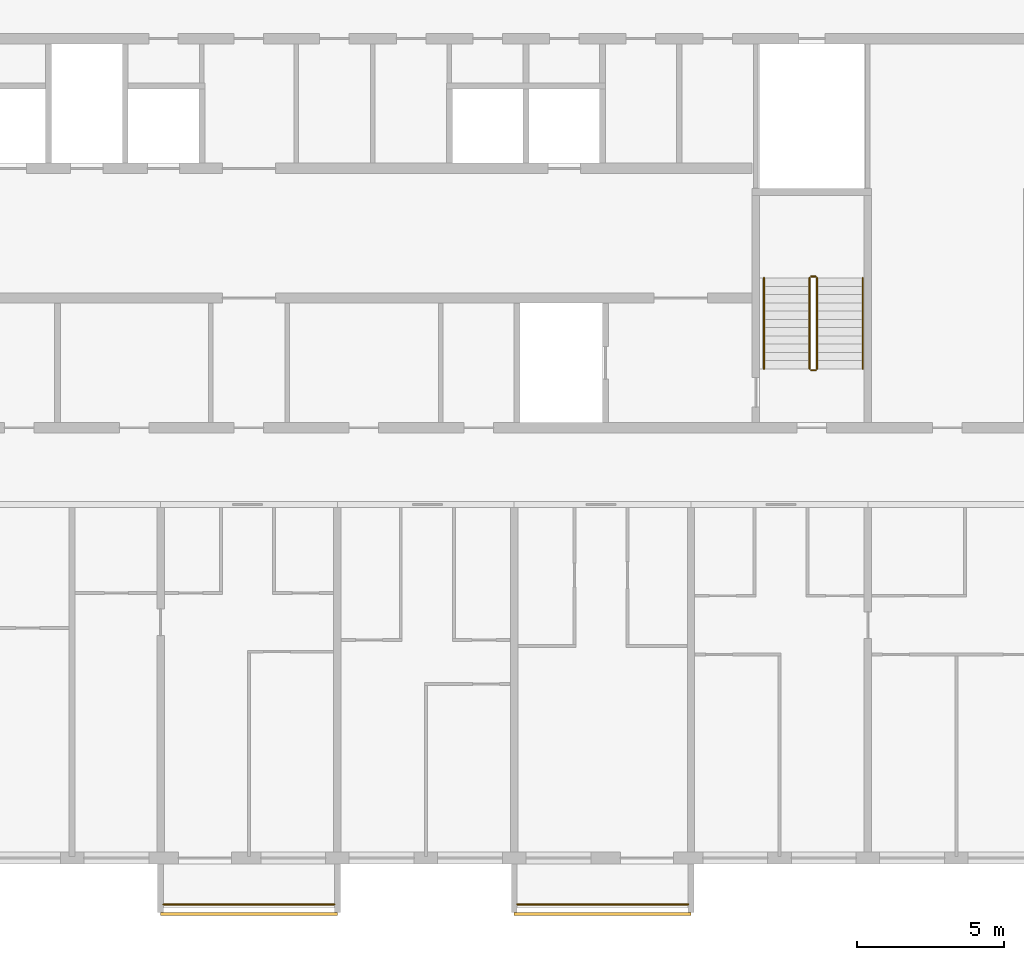
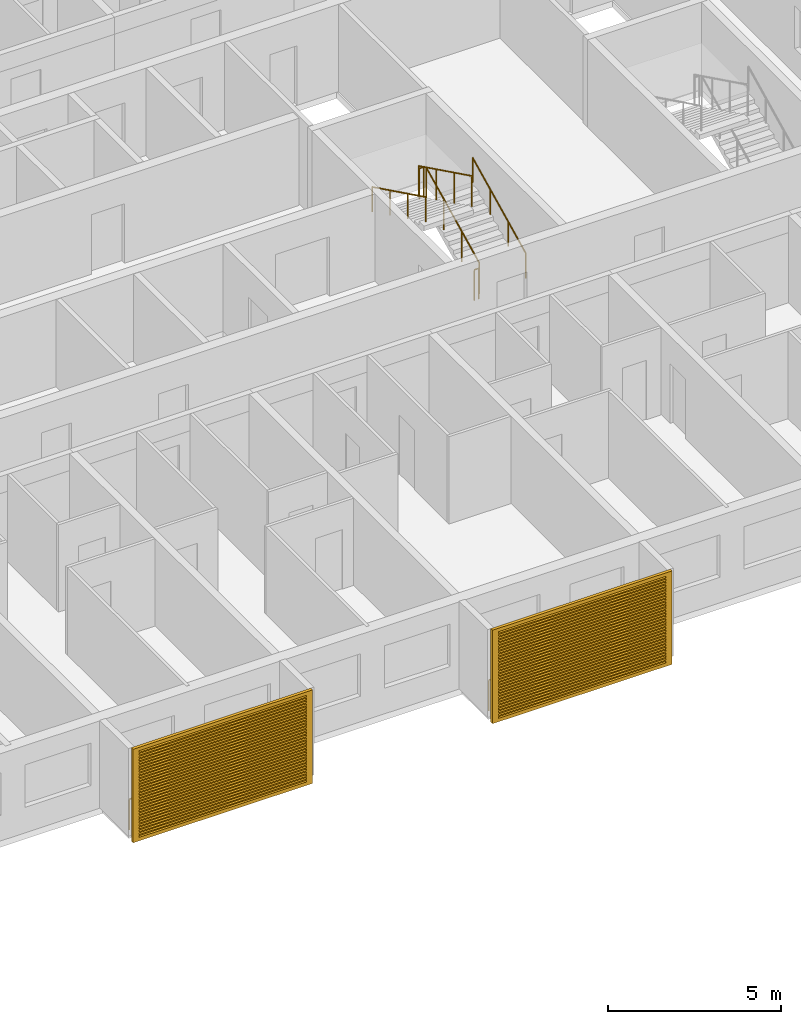
# One storey, part 14 of 29: 8 railings, 2 shading devices.
"""IFC4 building model written with IfcOpenShell, lengths in metres."""

from ifc_helpers import new_model, si_unit, direction, frame, origin, origin_2d, place, context, subcontext, project, spatial, polyline, circle, outline, extrude, source, transform, mapped, material, material_profile, profile_set, type_object, element, save


model = new_model("IFC4")

# Units and contexts
model_context = context("Model", 3, precision=1e-05, world=origin(), true_north=direction((0.0, 1.0)))
body_context = subcontext(model_context, "Body", "Model", "MODEL_VIEW")
ifc_project = project(units=[si_unit("LENGTHUNIT", "METRE"), si_unit("AREAUNIT", "SQUARE_METRE"), si_unit("VOLUMEUNIT", "CUBIC_METRE"), si_unit("PLANEANGLEUNIT", "RADIAN"), si_unit("MASSUNIT", "GRAM", prefix="KILO")], contexts=[model_context])

# Site, building, storey
site_placement = place(None, origin())
site = spatial("IfcSite", under=ifc_project, at=site_placement, CompositionType="ELEMENT")
building_placement = place(site_placement, origin())
building = spatial("IfcBuilding", under=site, at=building_placement, Name="Poui Terraces", CompositionType="ELEMENT")
storey_placement = place(building_placement, frame((0.0, 0.0, 237.89990234375)))
storey = spatial("IfcBuildingStorey", under=building, at=storey_placement, Name="L66", CompositionType="ELEMENT", Elevation=237.89990234375)

# Railings
ifc_material_1 = material(Name="Painted steel fretwork", Category="steel")
railing_type_1 = type_object("IfcRailingType", Name="BALCONY GUARD 1100", PredefinedType="GUARDRAIL", material=ifc_material_1)
for number, where, name in (
    (1, (48.10009765625, -1.570068359375, 0.0), "BALCONY GUARD"),
    (2, (60.10009765625, -1.570068359375, 0.0), "BALCONY GUARD"),
):
    element("IfcRailing", number, at=place(storey_placement, frame(where)), inside=storey, type_object=railing_type_1, Name=name, PredefinedType="GUARDRAIL", context=body_context, shape_type="SweptSolid", body=[
        extrude(circle(Radius=0.02392578125, at=origin_2d()), frame((0.0, 0.0, 1.076171875), z_axis=(1.0, 0.0, 0.0), x_axis=(0.0, 1.0, 0.0)), (0.0, 0.0, 1.0), 5.7998046875),
        extrude(circle(Radius=0.02099609375, at=origin_2d()), origin(), (0.0, 0.0, 1.0), 1.052001953125),
        extrude(circle(Radius=0.02099609375, at=origin_2d()), frame((0.966552734375, 0.0, 0.0)), (0.0, 0.0, 1.0), 1.052001953125),
        extrude(circle(Radius=0.02099609375, at=origin_2d()), frame((1.933349609375, 0.0, 0.0)), (0.0, 0.0, 1.0), 1.052001953125),
        extrude(circle(Radius=0.02099609375, at=origin_2d()), frame((2.89990234375, 0.0, 0.0)), (0.0, 0.0, 1.0), 1.052001953125),
        extrude(circle(Radius=0.02099609375, at=origin_2d()), frame((3.866455078125, 0.0, 0.0)), (0.0, 0.0, 1.0), 1.052001953125),
        extrude(circle(Radius=0.02099609375, at=origin_2d()), frame((4.833251953125, 0.0, 0.0)), (0.0, 0.0, 1.0), 1.052001953125),
        extrude(circle(Radius=0.02099609375, at=origin_2d()), frame((5.7998046875, 0.0, 0.0)), (0.0, 0.0, 1.0), 1.052001953125),
    ])
ifc_material_2 = material(Name="Galvanised steel balustrade", Category="steel")
railing_type_2 = type_object("IfcRailingType", Name="STAIR GUARD 1100", PredefinedType="GUARDRAIL", material=ifc_material_2)
railing_1_placement = place(storey_placement, frame((70.27490234375, 16.60009765625, 0.1376953125)))
element("IfcRailing", 3, at=railing_1_placement, inside=storey, type_object=railing_type_2, Name="L66 ST-CE stair guard 1", PredefinedType="GUARDRAIL", context=body_context, shape_type="SweptSolid", body=[
    extrude(circle(Radius=0.02392578125, at=origin_2d()), frame((0.0, 0.0, 1.076171875), z_axis=(0.0, 0.897606190399, 0.440798283751), x_axis=(-1.0, 0.0, 0.0)), (0.0, 0.0, 1.0), 3.43115234375),
    extrude(circle(Radius=0.02099609375, at=origin_2d()), origin(), (0.0, 0.0, 1.0), 1.052001953125),
    extrude(circle(Radius=0.02099609375, at=origin_2d()), frame((0.0, 1.026611328125, 0.504150390625)), (0.0, 0.0, 1.0), 1.052001953125),
    extrude(circle(Radius=0.02099609375, at=origin_2d()), frame((0.0, 2.05322265625, 1.00830078125)), (0.0, 0.0, 1.0), 1.052001953125),
    extrude(circle(Radius=0.02099609375, at=origin_2d()), frame((0.0, 3.079833984375, 1.512451171875)), (0.0, 0.0, 1.0), 1.052001953125),
])
railing_2_placement = place(storey_placement, frame((70.22509765625, 19.72998046875, 1.650146484375)))
element("IfcRailing", 4, at=railing_2_placement, inside=storey, type_object=railing_type_2, Name="L66 ST-CE stair guard 2", PredefinedType="GUARDRAIL", context=body_context, shape_type="SweptSolid", body=[
    extrude(circle(Radius=0.02392578125, at=origin_2d()), frame((0.0, 0.0, 1.076171875), z_axis=(-1.0, 0.0, 0.0), x_axis=(0.0, -1.0, 0.0)), (0.0, 0.0, 1.0), 0.150146484375),
    extrude(circle(Radius=0.02099609375, at=origin_2d()), origin(), (0.0, 0.0, 1.0), 1.052001953125),
    extrude(circle(Radius=0.02099609375, at=origin_2d()), frame((-0.150146484375, 0.0, 0.0)), (0.0, 0.0, 1.0), 1.052001953125),
])
railing_3_placement = place(storey_placement, frame((70.02490234375, 19.679931640625, 1.78759765625)))
element("IfcRailing", 5, at=railing_3_placement, inside=storey, type_object=railing_type_2, Name="L66 ST-CE stair guard 3", PredefinedType="GUARDRAIL", context=body_context, shape_type="SweptSolid", body=[
    extrude(circle(Radius=0.02392578125, at=origin_2d()), frame((0.0, 0.0, 1.076171875), z_axis=(0.0, -0.897606190399, 0.440798283751), x_axis=(1.0, 0.0, 0.0)), (0.0, 0.0, 1.0), 3.43115234375),
    extrude(circle(Radius=0.02099609375, at=origin_2d()), origin(), (0.0, 0.0, 1.0), 1.052001953125),
    extrude(circle(Radius=0.02099609375, at=origin_2d()), frame((0.0, -1.026611328125, 0.504150390625)), (0.0, 0.0, 1.0), 1.052001953125),
    extrude(circle(Radius=0.02099609375, at=origin_2d()), frame((0.0, -2.05322265625, 1.00830078125)), (0.0, 0.0, 1.0), 1.052001953125),
    extrude(circle(Radius=0.02099609375, at=origin_2d()), frame((0.0, -3.079833984375, 1.512451171875)), (0.0, 0.0, 1.0), 1.052001953125),
])
railing_4_placement = place(storey_placement, frame((70.22509765625, 16.550048828125, 0.0)))
element("IfcRailing", 6, at=railing_4_placement, inside=storey, type_object=railing_type_2, Name="L66 ST-CE stair guard 4", PredefinedType="GUARDRAIL", context=body_context, shape_type="SweptSolid", body=[
    extrude(circle(Radius=0.02392578125, at=origin_2d()), frame((0.0, 0.0, 1.076171875), z_axis=(-1.0, 0.0, 0.0), x_axis=(0.0, -1.0, 0.0)), (0.0, 0.0, 1.0), 0.150146484375),
    extrude(circle(Radius=0.02099609375, at=origin_2d()), origin(), (0.0, 0.0, 1.0), 1.052001953125),
    extrude(circle(Radius=0.02099609375, at=origin_2d()), frame((-0.150146484375, 0.0, 0.0)), (0.0, 0.0, 1.0), 1.052001953125),
])
ifc_material_3 = material(Name="Stainless steel handrail", Category="steel")
railing_type_3 = type_object("IfcRailingType", Name="STAIR HANDRAIL 900", PredefinedType="HANDRAIL", material=ifc_material_3)
railing_5_placement = place(storey_placement, frame((71.824951171875, 16.60009765625, 0.1376953125)))
element("IfcRailing", 7, at=railing_5_placement, inside=storey, type_object=railing_type_3, Name="L66 ST-CE stair handrail 1", PredefinedType="HANDRAIL", context=body_context, shape_type="SweptSolid", body=[
    extrude(circle(Radius=0.02392578125, at=origin_2d()), frame((0.0, 0.0, 0.8759765625), z_axis=(0.0, 0.897606190399, 0.440798283751), x_axis=(-1.0, 0.0, 0.0)), (0.0, 0.0, 1.0), 3.43115234375),
    extrude(circle(Radius=0.02099609375, at=origin_2d()), origin(), (0.0, 0.0, 1.0), 0.851806640625),
    extrude(circle(Radius=0.02099609375, at=origin_2d()), frame((0.0, 1.026611328125, 0.504150390625)), (0.0, 0.0, 1.0), 0.851806640625),
    extrude(circle(Radius=0.02099609375, at=origin_2d()), frame((0.0, 2.05322265625, 1.00830078125)), (0.0, 0.0, 1.0), 0.851806640625),
    extrude(circle(Radius=0.02099609375, at=origin_2d()), frame((0.0, 3.079833984375, 1.512451171875)), (0.0, 0.0, 1.0), 0.851806640625),
])
railing_6_placement = place(storey_placement, frame((68.47509765625, 19.679931640625, 1.78759765625)))
element("IfcRailing", 8, at=railing_6_placement, inside=storey, type_object=railing_type_3, Name="L66 ST-CE stair handrail 2", PredefinedType="HANDRAIL", context=body_context, shape_type="SweptSolid", body=[
    extrude(circle(Radius=0.02392578125, at=origin_2d()), frame((0.0, 0.0, 0.8759765625), z_axis=(0.0, -0.897606190399, 0.440798283751), x_axis=(1.0, 0.0, 0.0)), (0.0, 0.0, 1.0), 3.43115234375),
    extrude(circle(Radius=0.02099609375, at=origin_2d()), origin(), (0.0, 0.0, 1.0), 0.851806640625),
    extrude(circle(Radius=0.02099609375, at=origin_2d()), frame((0.0, -1.026611328125, 0.504150390625)), (0.0, 0.0, 1.0), 0.851806640625),
    extrude(circle(Radius=0.02099609375, at=origin_2d()), frame((0.0, -2.05322265625, 1.00830078125)), (0.0, 0.0, 1.0), 0.851806640625),
    extrude(circle(Radius=0.02099609375, at=origin_2d()), frame((0.0, -3.079833984375, 1.512451171875)), (0.0, 0.0, 1.0), 0.851806640625),
])

# Shading devices
ifc_material_4 = material(Name="Aluminium louvre", Category="aluminium")
ifc_material_profile = material_profile(ifc_material_4, outline(polyline([(-3.0, -1.64990234375), (3.0, -1.64990234375), (3.0, 1.64990234375), (-3.0, 1.64990234375), (-3.0, -1.64990234375)]), holes=[polyline([(-2.800048828125, -1.530029296875), (2.800048828125, -1.530029296875), (2.800048828125, -1.469970703125), (-2.800048828125, -1.469970703125), (-2.800048828125, -1.530029296875)]), polyline([(-2.800048828125, -1.429931640625), (2.800048828125, -1.429931640625), (2.800048828125, -1.3701171875), (-2.800048828125, -1.3701171875), (-2.800048828125, -1.429931640625)]), polyline([(-2.800048828125, -1.330078125), (2.800048828125, -1.330078125), (2.800048828125, -1.27001953125), (-2.800048828125, -1.27001953125), (-2.800048828125, -1.330078125)]), polyline([(-2.800048828125, -1.22998046875), (2.800048828125, -1.22998046875), (2.800048828125, -1.169921875), (-2.800048828125, -1.169921875), (-2.800048828125, -1.22998046875)]), polyline([(-2.800048828125, -1.1298828125), (2.800048828125, -1.1298828125), (2.800048828125, -1.070068359375), (-2.800048828125, -1.070068359375), (-2.800048828125, -1.1298828125)]), polyline([(-2.800048828125, -1.030029296875), (2.800048828125, -1.030029296875), (2.800048828125, -0.969970703125), (-2.800048828125, -0.969970703125), (-2.800048828125, -1.030029296875)]), polyline([(-2.800048828125, -0.929931640625), (2.800048828125, -0.929931640625), (2.800048828125, -0.8701171875), (-2.800048828125, -0.8701171875), (-2.800048828125, -0.929931640625)]), polyline([(-2.800048828125, -0.830078125), (2.800048828125, -0.830078125), (2.800048828125, -0.77001953125), (-2.800048828125, -0.77001953125), (-2.800048828125, -0.830078125)]), polyline([(-2.800048828125, -0.72998046875), (2.800048828125, -0.72998046875), (2.800048828125, -0.669921875), (-2.800048828125, -0.669921875), (-2.800048828125, -0.72998046875)]), polyline([(-2.800048828125, -0.6298828125), (2.800048828125, -0.6298828125), (2.800048828125, -0.570068359375), (-2.800048828125, -0.570068359375), (-2.800048828125, -0.6298828125)]), polyline([(-2.800048828125, -0.530029296875), (2.800048828125, -0.530029296875), (2.800048828125, -0.469970703125), (-2.800048828125, -0.469970703125), (-2.800048828125, -0.530029296875)]), polyline([(-2.800048828125, -0.429931640625), (2.800048828125, -0.429931640625), (2.800048828125, -0.3701171875), (-2.800048828125, -0.3701171875), (-2.800048828125, -0.429931640625)]), polyline([(-2.800048828125, -0.330078125), (2.800048828125, -0.330078125), (2.800048828125, -0.27001953125), (-2.800048828125, -0.27001953125), (-2.800048828125, -0.330078125)]), polyline([(-2.800048828125, -0.22998046875), (2.800048828125, -0.22998046875), (2.800048828125, -0.169921875), (-2.800048828125, -0.169921875), (-2.800048828125, -0.22998046875)]), polyline([(-2.800048828125, -0.1298828125), (2.800048828125, -0.1298828125), (2.800048828125, -0.070068359375), (-2.800048828125, -0.070068359375), (-2.800048828125, -0.1298828125)]), polyline([(-2.800048828125, -0.030029296875), (2.800048828125, -0.030029296875), (2.800048828125, 0.030029296875), (-2.800048828125, 0.030029296875), (-2.800048828125, -0.030029296875)]), polyline([(-2.800048828125, 0.070068359375), (2.800048828125, 0.070068359375), (2.800048828125, 0.1298828125), (-2.800048828125, 0.1298828125), (-2.800048828125, 0.070068359375)]), polyline([(-2.800048828125, 0.169921875), (2.800048828125, 0.169921875), (2.800048828125, 0.22998046875), (-2.800048828125, 0.22998046875), (-2.800048828125, 0.169921875)]), polyline([(-2.800048828125, 0.27001953125), (2.800048828125, 0.27001953125), (2.800048828125, 0.330078125), (-2.800048828125, 0.330078125), (-2.800048828125, 0.27001953125)]), polyline([(-2.800048828125, 0.3701171875), (2.800048828125, 0.3701171875), (2.800048828125, 0.429931640625), (-2.800048828125, 0.429931640625), (-2.800048828125, 0.3701171875)]), polyline([(-2.800048828125, 0.469970703125), (2.800048828125, 0.469970703125), (2.800048828125, 0.530029296875), (-2.800048828125, 0.530029296875), (-2.800048828125, 0.469970703125)]), polyline([(-2.800048828125, 0.570068359375), (2.800048828125, 0.570068359375), (2.800048828125, 0.6298828125), (-2.800048828125, 0.6298828125), (-2.800048828125, 0.570068359375)]), polyline([(-2.800048828125, 0.669921875), (2.800048828125, 0.669921875), (2.800048828125, 0.72998046875), (-2.800048828125, 0.72998046875), (-2.800048828125, 0.669921875)]), polyline([(-2.800048828125, 0.77001953125), (2.800048828125, 0.77001953125), (2.800048828125, 0.830078125), (-2.800048828125, 0.830078125), (-2.800048828125, 0.77001953125)]), polyline([(-2.800048828125, 0.8701171875), (2.800048828125, 0.8701171875), (2.800048828125, 0.929931640625), (-2.800048828125, 0.929931640625), (-2.800048828125, 0.8701171875)]), polyline([(-2.800048828125, 0.969970703125), (2.800048828125, 0.969970703125), (2.800048828125, 1.030029296875), (-2.800048828125, 1.030029296875), (-2.800048828125, 0.969970703125)]), polyline([(-2.800048828125, 1.070068359375), (2.800048828125, 1.070068359375), (2.800048828125, 1.1298828125), (-2.800048828125, 1.1298828125), (-2.800048828125, 1.070068359375)]), polyline([(-2.800048828125, 1.169921875), (2.800048828125, 1.169921875), (2.800048828125, 1.22998046875), (-2.800048828125, 1.22998046875), (-2.800048828125, 1.169921875)]), polyline([(-2.800048828125, 1.27001953125), (2.800048828125, 1.27001953125), (2.800048828125, 1.330078125), (-2.800048828125, 1.330078125), (-2.800048828125, 1.27001953125)]), polyline([(-2.800048828125, 1.3701171875), (2.800048828125, 1.3701171875), (2.800048828125, 1.429931640625), (-2.800048828125, 1.429931640625), (-2.800048828125, 1.3701171875)]), polyline([(-2.800048828125, 1.469970703125), (2.800048828125, 1.469970703125), (2.800048828125, 1.530029296875), (-2.800048828125, 1.530029296875), (-2.800048828125, 1.469970703125)])]), Name="JALOUSIE LOUVRE SHUTTER 6000X3300")
ifc_profile_set = profile_set([ifc_material_profile], Name="Aluminium louvre")
shading_device_type = type_object("IfcShadingDeviceType", Name="JALOUSIE LOUVRE SHUTTER 6000X3300", PredefinedType="JALOUSIE", material=ifc_profile_set)
shared_shape = source(origin(), body_context, "Body", "SweptSolid", [
    extrude(outline(polyline([(-3.0, -1.64990234375), (3.0, -1.64990234375), (3.0, 1.64990234375), (-3.0, 1.64990234375), (-3.0, -1.64990234375)]), holes=[polyline([(-2.800048828125, -1.530029296875), (2.800048828125, -1.530029296875), (2.800048828125, -1.469970703125), (-2.800048828125, -1.469970703125), (-2.800048828125, -1.530029296875)]), polyline([(-2.800048828125, -1.429931640625), (2.800048828125, -1.429931640625), (2.800048828125, -1.3701171875), (-2.800048828125, -1.3701171875), (-2.800048828125, -1.429931640625)]), polyline([(-2.800048828125, -1.330078125), (2.800048828125, -1.330078125), (2.800048828125, -1.27001953125), (-2.800048828125, -1.27001953125), (-2.800048828125, -1.330078125)]), polyline([(-2.800048828125, -1.22998046875), (2.800048828125, -1.22998046875), (2.800048828125, -1.169921875), (-2.800048828125, -1.169921875), (-2.800048828125, -1.22998046875)]), polyline([(-2.800048828125, -1.1298828125), (2.800048828125, -1.1298828125), (2.800048828125, -1.070068359375), (-2.800048828125, -1.070068359375), (-2.800048828125, -1.1298828125)]), polyline([(-2.800048828125, -1.030029296875), (2.800048828125, -1.030029296875), (2.800048828125, -0.969970703125), (-2.800048828125, -0.969970703125), (-2.800048828125, -1.030029296875)]), polyline([(-2.800048828125, -0.929931640625), (2.800048828125, -0.929931640625), (2.800048828125, -0.8701171875), (-2.800048828125, -0.8701171875), (-2.800048828125, -0.929931640625)]), polyline([(-2.800048828125, -0.830078125), (2.800048828125, -0.830078125), (2.800048828125, -0.77001953125), (-2.800048828125, -0.77001953125), (-2.800048828125, -0.830078125)]), polyline([(-2.800048828125, -0.72998046875), (2.800048828125, -0.72998046875), (2.800048828125, -0.669921875), (-2.800048828125, -0.669921875), (-2.800048828125, -0.72998046875)]), polyline([(-2.800048828125, -0.6298828125), (2.800048828125, -0.6298828125), (2.800048828125, -0.570068359375), (-2.800048828125, -0.570068359375), (-2.800048828125, -0.6298828125)]), polyline([(-2.800048828125, -0.530029296875), (2.800048828125, -0.530029296875), (2.800048828125, -0.469970703125), (-2.800048828125, -0.469970703125), (-2.800048828125, -0.530029296875)]), polyline([(-2.800048828125, -0.429931640625), (2.800048828125, -0.429931640625), (2.800048828125, -0.3701171875), (-2.800048828125, -0.3701171875), (-2.800048828125, -0.429931640625)]), polyline([(-2.800048828125, -0.330078125), (2.800048828125, -0.330078125), (2.800048828125, -0.27001953125), (-2.800048828125, -0.27001953125), (-2.800048828125, -0.330078125)]), polyline([(-2.800048828125, -0.22998046875), (2.800048828125, -0.22998046875), (2.800048828125, -0.169921875), (-2.800048828125, -0.169921875), (-2.800048828125, -0.22998046875)]), polyline([(-2.800048828125, -0.1298828125), (2.800048828125, -0.1298828125), (2.800048828125, -0.070068359375), (-2.800048828125, -0.070068359375), (-2.800048828125, -0.1298828125)]), polyline([(-2.800048828125, -0.030029296875), (2.800048828125, -0.030029296875), (2.800048828125, 0.030029296875), (-2.800048828125, 0.030029296875), (-2.800048828125, -0.030029296875)]), polyline([(-2.800048828125, 0.070068359375), (2.800048828125, 0.070068359375), (2.800048828125, 0.1298828125), (-2.800048828125, 0.1298828125), (-2.800048828125, 0.070068359375)]), polyline([(-2.800048828125, 0.169921875), (2.800048828125, 0.169921875), (2.800048828125, 0.22998046875), (-2.800048828125, 0.22998046875), (-2.800048828125, 0.169921875)]), polyline([(-2.800048828125, 0.27001953125), (2.800048828125, 0.27001953125), (2.800048828125, 0.330078125), (-2.800048828125, 0.330078125), (-2.800048828125, 0.27001953125)]), polyline([(-2.800048828125, 0.3701171875), (2.800048828125, 0.3701171875), (2.800048828125, 0.429931640625), (-2.800048828125, 0.429931640625), (-2.800048828125, 0.3701171875)]), polyline([(-2.800048828125, 0.469970703125), (2.800048828125, 0.469970703125), (2.800048828125, 0.530029296875), (-2.800048828125, 0.530029296875), (-2.800048828125, 0.469970703125)]), polyline([(-2.800048828125, 0.570068359375), (2.800048828125, 0.570068359375), (2.800048828125, 0.6298828125), (-2.800048828125, 0.6298828125), (-2.800048828125, 0.570068359375)]), polyline([(-2.800048828125, 0.669921875), (2.800048828125, 0.669921875), (2.800048828125, 0.72998046875), (-2.800048828125, 0.72998046875), (-2.800048828125, 0.669921875)]), polyline([(-2.800048828125, 0.77001953125), (2.800048828125, 0.77001953125), (2.800048828125, 0.830078125), (-2.800048828125, 0.830078125), (-2.800048828125, 0.77001953125)]), polyline([(-2.800048828125, 0.8701171875), (2.800048828125, 0.8701171875), (2.800048828125, 0.929931640625), (-2.800048828125, 0.929931640625), (-2.800048828125, 0.8701171875)]), polyline([(-2.800048828125, 0.969970703125), (2.800048828125, 0.969970703125), (2.800048828125, 1.030029296875), (-2.800048828125, 1.030029296875), (-2.800048828125, 0.969970703125)]), polyline([(-2.800048828125, 1.070068359375), (2.800048828125, 1.070068359375), (2.800048828125, 1.1298828125), (-2.800048828125, 1.1298828125), (-2.800048828125, 1.070068359375)]), polyline([(-2.800048828125, 1.169921875), (2.800048828125, 1.169921875), (2.800048828125, 1.22998046875), (-2.800048828125, 1.22998046875), (-2.800048828125, 1.169921875)]), polyline([(-2.800048828125, 1.27001953125), (2.800048828125, 1.27001953125), (2.800048828125, 1.330078125), (-2.800048828125, 1.330078125), (-2.800048828125, 1.27001953125)]), polyline([(-2.800048828125, 1.3701171875), (2.800048828125, 1.3701171875), (2.800048828125, 1.429931640625), (-2.800048828125, 1.429931640625), (-2.800048828125, 1.3701171875)]), polyline([(-2.800048828125, 1.469970703125), (2.800048828125, 1.469970703125), (2.800048828125, 1.530029296875), (-2.800048828125, 1.530029296875), (-2.800048828125, 1.469970703125)])]), origin(), (0.0, 0.0, 1.0), 0.099853515625),
])
for number, where, z_axis, x_axis, name in (
    (9, (51.0, -1.85009765625, 1.4501953125), (0.0, -1.0, 0.0), (1.0, 0.0, 0.0), "JALOUSIE LOUVRE SHUTTER"),
    (10, (63.0, -1.85009765625, 1.4501953125), (0.0, -1.0, 0.0), (1.0, 0.0, 0.0), "JALOUSIE LOUVRE SHUTTER"),
):
    element("IfcShadingDevice", number, at=place(storey_placement, frame(where, z_axis=z_axis, x_axis=x_axis)), inside=storey, type_object=shading_device_type, Name=name, PredefinedType="JALOUSIE", context=body_context, shape_type="MappedRepresentation", body=[
        mapped(shared_shape, transform((0.0, 0.0, 0.0))),
    ])

save(model, "model.ifc")
